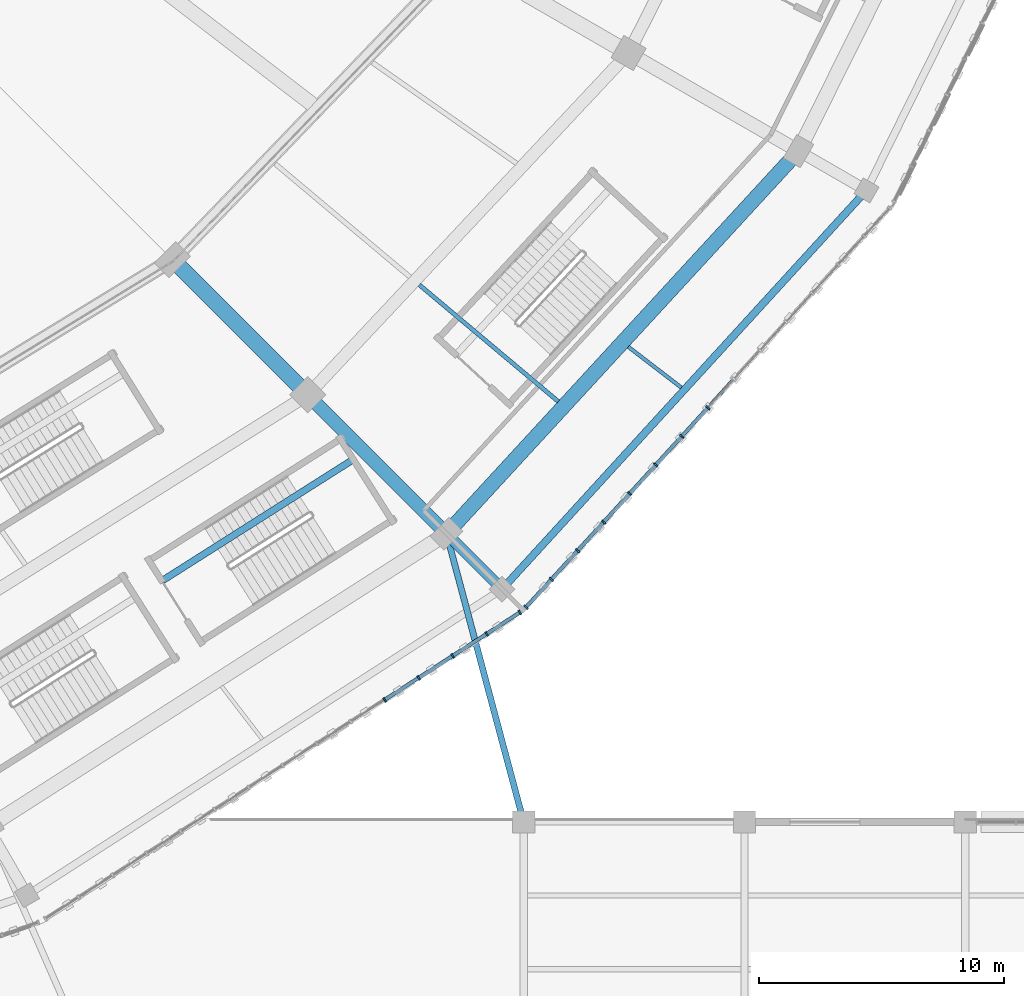
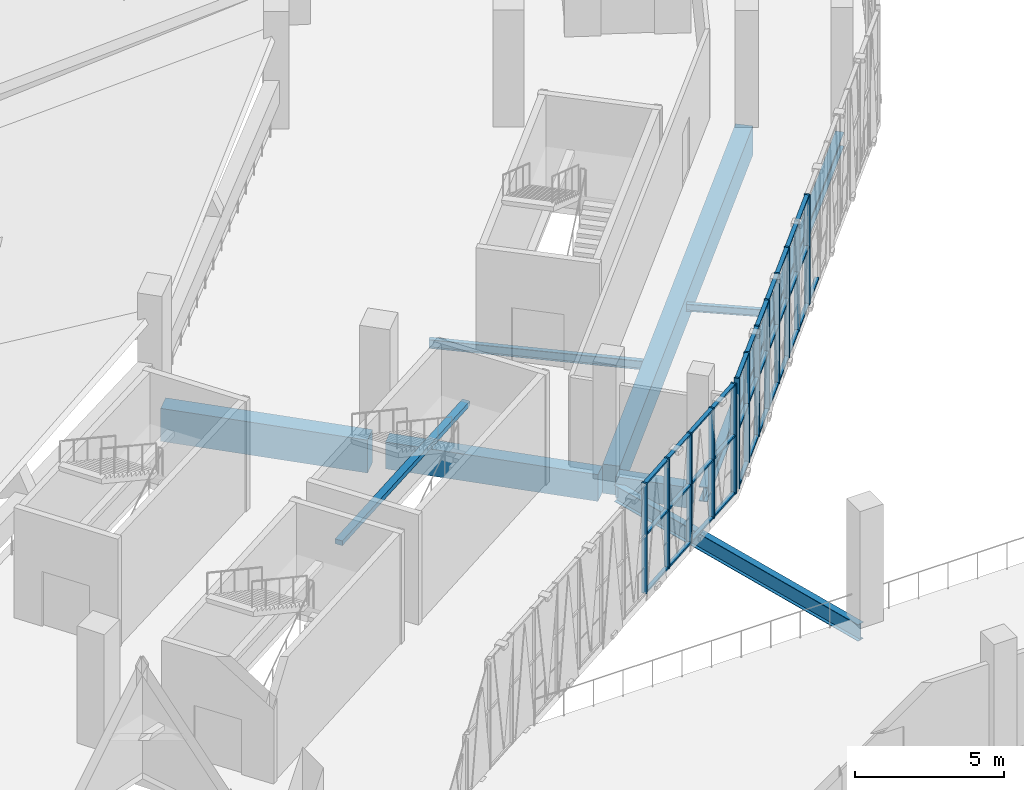
# One storey, part 32 of 183: 47 members, 9 beams, 2 elements without a shape of their own.
"""IFC4 building model written with IfcOpenShell, lengths in metres."""

from ifc_helpers import new_model, si_unit, direction, frame, origin, origin_2d, place, context, subcontext, project, spatial, rectangle, i_section, extrude, material, material_profile, profile_set, type_object, element, aggregate, save


model = new_model("IFC4")

# Units and contexts
model_context = context("Model", 3, precision=1e-05, world=origin(), true_north=direction((0.0, 1.0)))
body_context = subcontext(model_context, "Body", "Model", "MODEL_VIEW")
ifc_project = project(units=[si_unit("LENGTHUNIT", "METRE"), si_unit("AREAUNIT", "SQUARE_METRE"), si_unit("VOLUMEUNIT", "CUBIC_METRE"), si_unit("PLANEANGLEUNIT", "RADIAN"), si_unit("MASSUNIT", "GRAM", prefix="KILO")], contexts=[model_context])

# Site, building, storey
site_placement = place(None, origin())
site = spatial("IfcSite", under=ifc_project, at=site_placement, CompositionType="ELEMENT")
building_placement = place(site_placement, origin())
building = spatial("IfcBuilding", under=site, at=building_placement, Name="Zevraka Park Crest Stadium", CompositionType="ELEMENT")
storey_placement = place(building_placement, frame((0.0, 0.0, 5.39990234375)))
storey = spatial("IfcBuildingStorey", under=building, at=storey_placement, Name="L01", CompositionType="ELEMENT", Elevation=5.39990234375)

# Beams
ifc_material_1 = material(Name="Concrete C40/50", Category="concrete")
ifc_material_profile_1 = material_profile(ifc_material_1, rectangle(XDim=0.64990234375, YDim=1.35009765625, at=origin_2d()), Name="RC 1350x650")
ifc_profile_set_1 = profile_set([ifc_material_profile_1], Name="Concrete C40/50")
beam_type_1 = type_object("IfcBeamType", Name="BG01", PredefinedType="BEAM", material=ifc_profile_set_1)
beam_1_placement = place(storey_placement, frame((164.89111328125, 49.715087890625, -0.684814453125), z_axis=(0.707157639372, -0.707055919343, 0.0), x_axis=(0.707055919343, 0.707157639372, 0.0)))
element("IfcBeam", 1, at=beam_1_placement, inside=storey, type_object=beam_type_1, Name="Radial Girder BG01 L01-BC-21", PredefinedType="BEAM", context=body_context, shape_type="SweptSolid", body=[
    extrude(rectangle(XDim=0.64990234375, YDim=1.35009765625, at=origin_2d()), origin(), (0.0, 0.0, 1.0), 7.200439453125),
])
ifc_material_2 = material(Name="Concrete C40/50", Category="concrete")
ifc_material_profile_2 = material_profile(ifc_material_2, rectangle(XDim=0.550048828125, YDim=1.10009765625, at=origin_2d()), Name="RC 1100x550")
ifc_profile_set_2 = profile_set([ifc_material_profile_2], Name="Concrete C40/50")
beam_type_2 = type_object("IfcBeamType", Name="BG02", PredefinedType="BEAM", material=ifc_profile_set_2)
beam_2_placement = place(storey_placement, frame((170.406982421875, 44.199951171875, -0.559814453125), z_axis=(0.707106781187, -0.707106781187, 0.0), x_axis=(0.707106781187, 0.707106781187, 0.0)))
element("IfcBeam", 2, at=beam_2_placement, inside=storey, type_object=beam_type_2, Name="Radial Girder BG02 L01-CD-21", PredefinedType="BEAM", context=body_context, shape_type="SweptSolid", body=[
    extrude(rectangle(XDim=0.550048828125, YDim=1.10009765625, at=origin_2d()), origin(), (0.0, 0.0, 1.0), 7.400390625),
])
ifc_material_3 = material(Name="Concrete C40/50", Category="concrete")
ifc_material_profile_3 = material_profile(ifc_material_3, rectangle(XDim=0.449951171875, YDim=0.85009765625, at=origin_2d()), Name="RC 850x450")
ifc_profile_set_3 = profile_set([ifc_material_profile_3], Name="Concrete C40/50")
beam_type_3 = type_object("IfcBeamType", Name="BG03", PredefinedType="BEAM", material=ifc_profile_set_3)
beam_3_placement = place(storey_placement, frame((176.06396484375, 38.54296875, -0.434814453125), z_axis=(0.706965918589, -0.707247615728, 0.0), x_axis=(0.707247615728, 0.706965918589, 0.0)))
element("IfcBeam", 3, at=beam_3_placement, inside=storey, type_object=beam_type_3, Name="Radial Girder BG03 L01-DE-21", PredefinedType="BEAM", context=body_context, shape_type="SweptSolid", body=[
    extrude(rectangle(XDim=0.449951171875, YDim=0.85009765625, at=origin_2d()), origin(), (0.0, 0.0, 1.0), 2.60009765625),
])
ifc_material_4 = material(Name="Steel S355", Category="steel")
ifc_material_profile_4 = material_profile(ifc_material_4, i_section(OverallWidth=0.253662109375, OverallDepth=0.68359375, WebThickness=0.012451171875, FlangeThickness=0.01904296875, at=origin_2d()), Name="UKB 686x254x140")
ifc_profile_set_4 = profile_set([ifc_material_profile_4], Name="Steel S355")
beam_type_4 = type_object("IfcBeamType", Name="BG05", PredefinedType="BEAM", material=ifc_profile_set_4)
beam_4_placement = place(storey_placement, frame((178.947998046875, 27.193115234375, -0.649658203125), z_axis=(-0.25869045552, 0.96596027259, 0.0), x_axis=(-0.96596027259, -0.25869045552, 0.0)))
element("IfcBeam", 4, at=beam_4_placement, inside=storey, type_object=beam_type_4, Name="Wing Link Girder BG05 L01-20/D", PredefinedType="BEAM", context=body_context, shape_type="SweptSolid", body=[
    extrude(i_section(OverallWidth=0.253662109375, OverallDepth=0.68359375, WebThickness=0.012451171875, FlangeThickness=0.01904296875, at=origin_2d()), origin(), (0.0, 0.0, 1.0), 11.58935546875),
])

# Curtain wall, members
ifc_material_5 = material(Name="Anodised architectural aluminium and laminated safety glass", Category="aluminium")
curtain_wall_type = type_object("IfcCurtainWallType", Name="CW03", PredefinedType="NOTDEFINED", material=ifc_material_5)
curtain_wall_1_placement = place(storey_placement, origin())
curtain_wall_1 = element("IfcCurtainWall", 5, at=curtain_wall_1_placement, inside=storey, type_object=curtain_wall_type, Name="Unitised Ring Curtain Wall CW03 L01-20", PredefinedType="NOTDEFINED")
ifc_material_6 = material(Name="Anodised architectural aluminium", Category="aluminium")
ifc_material_profile_5 = material_profile(ifc_material_6, rectangle(XDim=0.199951171875, YDim=0.070068359375, at=origin_2d()), Name="ALU MULLION 200x70")
ifc_profile_set_5 = profile_set([ifc_material_profile_5], Name="Anodised architectural aluminium")
member_type_1 = type_object("IfcMemberType", Name="CM03", PredefinedType="MULLION", material=ifc_profile_set_5)
member_1_placement = place(storey_placement, frame((173.330322265625, 31.98388671875, 0.0), z_axis=(0.0, 0.0, 1.0), x_axis=(-0.542570628938, 0.840010186018, 0.0)))
member_1 = element("IfcMember", 6, at=member_1_placement, type_object=member_type_1, Name="CW03 mullion 11", PredefinedType="MULLION", context=body_context, shape_type="SweptSolid", body=[
    extrude(rectangle(XDim=0.199951171875, YDim=0.070068359375, at=origin_2d()), origin(), (0.0, 0.0, 1.0), 4.52001953125),
])
member_2_placement = place(storey_placement, frame((174.716064453125, 32.87890625, 0.0), z_axis=(0.0, 0.0, 1.0), x_axis=(-0.542570628938, 0.840010186018, 0.0)))
member_2 = element("IfcMember", 7, at=member_2_placement, type_object=member_type_1, Name="CW03 mullion 12", PredefinedType="MULLION", context=body_context, shape_type="SweptSolid", body=[
    extrude(rectangle(XDim=0.199951171875, YDim=0.070068359375, at=origin_2d()), origin(), (0.0, 0.0, 1.0), 4.52001953125),
])
member_3_placement = place(storey_placement, frame((176.101806640625, 33.77392578125, 0.0), z_axis=(0.0, 0.0, 1.0), x_axis=(-0.542570628938, 0.840010186018, 0.0)))
member_3 = element("IfcMember", 8, at=member_3_placement, type_object=member_type_1, Name="CW03 mullion 13", PredefinedType="MULLION", context=body_context, shape_type="SweptSolid", body=[
    extrude(rectangle(XDim=0.199951171875, YDim=0.070068359375, at=origin_2d()), origin(), (0.0, 0.0, 1.0), 4.52001953125),
])
member_4_placement = place(storey_placement, frame((177.4873046875, 34.6689453125, 0.0), z_axis=(0.0, 0.0, 1.0), x_axis=(-0.542570628938, 0.840010186018, 0.0)))
member_4 = element("IfcMember", 9, at=member_4_placement, type_object=member_type_1, Name="CW03 mullion 14", PredefinedType="MULLION", context=body_context, shape_type="SweptSolid", body=[
    extrude(rectangle(XDim=0.199951171875, YDim=0.070068359375, at=origin_2d()), origin(), (0.0, 0.0, 1.0), 4.52001953125),
])
member_5_placement = place(storey_placement, frame((178.843505859375, 35.544921875, 0.0), z_axis=(0.0, 0.0, 1.0), x_axis=(-0.542570628938, 0.840010186018, 0.0)))
member_5 = element("IfcMember", 10, at=member_5_placement, type_object=member_type_1, Name="CW03 mullion 15", PredefinedType="MULLION", context=body_context, shape_type="SweptSolid", body=[
    extrude(rectangle(XDim=0.199951171875, YDim=0.070068359375, at=origin_2d()), origin(), (0.0, 0.0, 1.0), 4.52001953125),
])

curtain_wall_2_placement = place(storey_placement, origin())
curtain_wall_2 = element("IfcCurtainWall", 11, at=curtain_wall_2_placement, inside=storey, type_object=curtain_wall_type, Name="Unitised Ring Curtain Wall CW03 L01-21", PredefinedType="NOTDEFINED")
member_6_placement = place(storey_placement, frame((179.092529296875, 35.755859375, 0.0), z_axis=(0.0, 0.0, 1.0), x_axis=(-0.739023476371, 0.673679672672, 0.0)))
member_6 = element("IfcMember", 12, at=member_6_placement, type_object=member_type_1, Name="CW03 mullion 1", PredefinedType="MULLION", context=body_context, shape_type="SweptSolid", body=[
    extrude(rectangle(XDim=0.199951171875, YDim=0.070068359375, at=origin_2d()), origin(), (0.0, 0.0, 1.0), 4.52001953125),
])
member_7_placement = place(storey_placement, frame((180.131591796875, 36.895751953125, 0.0), z_axis=(0.0, 0.0, 1.0), x_axis=(-0.739023476371, 0.673679672672, 0.0)))
member_7 = element("IfcMember", 13, at=member_7_placement, type_object=member_type_1, Name="CW03 mullion 2", PredefinedType="MULLION", context=body_context, shape_type="SweptSolid", body=[
    extrude(rectangle(XDim=0.199951171875, YDim=0.070068359375, at=origin_2d()), origin(), (0.0, 0.0, 1.0), 4.52001953125),
])
member_8_placement = place(storey_placement, frame((181.1943359375, 38.0615234375, 0.0), z_axis=(0.0, 0.0, 1.0), x_axis=(-0.739023476371, 0.673679672672, 0.0)))
member_8 = element("IfcMember", 14, at=member_8_placement, type_object=member_type_1, Name="CW03 mullion 3", PredefinedType="MULLION", context=body_context, shape_type="SweptSolid", body=[
    extrude(rectangle(XDim=0.199951171875, YDim=0.070068359375, at=origin_2d()), origin(), (0.0, 0.0, 1.0), 4.52001953125),
])
member_9_placement = place(storey_placement, frame((182.2568359375, 39.22705078125, 0.0), z_axis=(0.0, 0.0, 1.0), x_axis=(-0.739023476371, 0.673679672672, 0.0)))
member_9 = element("IfcMember", 15, at=member_9_placement, type_object=member_type_1, Name="CW03 mullion 4", PredefinedType="MULLION", context=body_context, shape_type="SweptSolid", body=[
    extrude(rectangle(XDim=0.199951171875, YDim=0.070068359375, at=origin_2d()), origin(), (0.0, 0.0, 1.0), 4.52001953125),
])
member_10_placement = place(storey_placement, frame((183.319580078125, 40.392822265625, 0.0), z_axis=(0.0, 0.0, 1.0), x_axis=(-0.739023476371, 0.673679672672, 0.0)))
member_10 = element("IfcMember", 16, at=member_10_placement, type_object=member_type_1, Name="CW03 mullion 5", PredefinedType="MULLION", context=body_context, shape_type="SweptSolid", body=[
    extrude(rectangle(XDim=0.199951171875, YDim=0.070068359375, at=origin_2d()), origin(), (0.0, 0.0, 1.0), 4.52001953125),
])
member_11_placement = place(storey_placement, frame((184.38232421875, 41.55859375, 0.0), z_axis=(0.0, 0.0, 1.0), x_axis=(-0.739023476371, 0.673679672672, 0.0)))
member_11 = element("IfcMember", 17, at=member_11_placement, type_object=member_type_1, Name="CW03 mullion 6", PredefinedType="MULLION", context=body_context, shape_type="SweptSolid", body=[
    extrude(rectangle(XDim=0.199951171875, YDim=0.070068359375, at=origin_2d()), origin(), (0.0, 0.0, 1.0), 4.52001953125),
])
member_12_placement = place(storey_placement, frame((185.44482421875, 42.724365234375, 0.0), z_axis=(0.0, 0.0, 1.0), x_axis=(-0.739023476371, 0.673679672672, 0.0)))
member_12 = element("IfcMember", 18, at=member_12_placement, type_object=member_type_1, Name="CW03 mullion 7", PredefinedType="MULLION", context=body_context, shape_type="SweptSolid", body=[
    extrude(rectangle(XDim=0.199951171875, YDim=0.070068359375, at=origin_2d()), origin(), (0.0, 0.0, 1.0), 4.52001953125),
])
member_13_placement = place(storey_placement, frame((186.507568359375, 43.889892578125, 0.0), z_axis=(0.0, 0.0, 1.0), x_axis=(-0.739023476371, 0.673679672672, 0.0)))
member_13 = element("IfcMember", 19, at=member_13_placement, type_object=member_type_1, Name="CW03 mullion 8", PredefinedType="MULLION", context=body_context, shape_type="SweptSolid", body=[
    extrude(rectangle(XDim=0.199951171875, YDim=0.070068359375, at=origin_2d()), origin(), (0.0, 0.0, 1.0), 4.52001953125),
])

# Member
ifc_material_7 = material(Name="Anodised architectural aluminium", Category="aluminium")
ifc_material_profile_6 = material_profile(ifc_material_7, rectangle(XDim=0.14990234375, YDim=0.070068359375, at=origin_2d()), Name="ALU TRANSOM 150x70")
ifc_profile_set_6 = profile_set([ifc_material_profile_6], Name="Anodised architectural aluminium")
member_type_2 = type_object("IfcMemberType", Name="CT03", PredefinedType="USERDEFINED", material=ifc_profile_set_6)
member_14_placement = place(storey_placement, frame((173.35986328125, 32.0029296875, 0.03515625), z_axis=(0.839976274256, 0.542623127675, 0.0), x_axis=(-0.542623127675, 0.839976274256, 0.0)))
member_14 = element("IfcMember", 20, at=member_14_placement, type_object=member_type_2, Name="CW03 transom 11.1", ObjectType="TRANSOM", PredefinedType="USERDEFINED", context=body_context, shape_type="SweptSolid", body=[
    extrude(rectangle(XDim=0.14990234375, YDim=0.070068359375, at=origin_2d()), origin(), (0.0, 0.0, 1.0), 1.57958984375),
])

member_15_placement = place(storey_placement, frame((173.35986328125, 32.0029296875, 2.400146484375), z_axis=(0.839976274256, 0.542623127675, 0.0), x_axis=(-0.542623127675, 0.839976274256, 0.0)))
member_15 = element("IfcMember", 21, at=member_15_placement, type_object=member_type_2, Name="CW03 transom 11.2", ObjectType="TRANSOM", PredefinedType="USERDEFINED", context=body_context, shape_type="SweptSolid", body=[
    extrude(rectangle(XDim=0.14990234375, YDim=0.070068359375, at=origin_2d()), origin(), (0.0, 0.0, 1.0), 1.57958984375),
])

member_16_placement = place(storey_placement, frame((173.35986328125, 32.0029296875, 4.485107421875), z_axis=(0.839976274256, 0.542623127675, 0.0), x_axis=(-0.542623127675, 0.839976274256, 0.0)))
member_16 = element("IfcMember", 22, at=member_16_placement, type_object=member_type_2, Name="CW03 transom 11.3", ObjectType="TRANSOM", PredefinedType="USERDEFINED", context=body_context, shape_type="SweptSolid", body=[
    extrude(rectangle(XDim=0.14990234375, YDim=0.070068359375, at=origin_2d()), origin(), (0.0, 0.0, 1.0), 1.57958984375),
])

member_17_placement = place(storey_placement, frame((174.745361328125, 32.89794921875, 0.03515625), z_axis=(0.839976274256, 0.542623127675, 0.0), x_axis=(-0.542623127675, 0.839976274256, 0.0)))
member_17 = element("IfcMember", 23, at=member_17_placement, type_object=member_type_2, Name="CW03 transom 12.1", ObjectType="TRANSOM", PredefinedType="USERDEFINED", context=body_context, shape_type="SweptSolid", body=[
    extrude(rectangle(XDim=0.14990234375, YDim=0.070068359375, at=origin_2d()), origin(), (0.0, 0.0, 1.0), 1.57958984375),
])

member_18_placement = place(storey_placement, frame((174.745361328125, 32.89794921875, 2.400146484375), z_axis=(0.839976274256, 0.542623127675, 0.0), x_axis=(-0.542623127675, 0.839976274256, 0.0)))
member_18 = element("IfcMember", 24, at=member_18_placement, type_object=member_type_2, Name="CW03 transom 12.2", ObjectType="TRANSOM", PredefinedType="USERDEFINED", context=body_context, shape_type="SweptSolid", body=[
    extrude(rectangle(XDim=0.14990234375, YDim=0.070068359375, at=origin_2d()), origin(), (0.0, 0.0, 1.0), 1.57958984375),
])

member_19_placement = place(storey_placement, frame((174.745361328125, 32.89794921875, 4.485107421875), z_axis=(0.839976274256, 0.542623127675, 0.0), x_axis=(-0.542623127675, 0.839976274256, 0.0)))
member_19 = element("IfcMember", 25, at=member_19_placement, type_object=member_type_2, Name="CW03 transom 12.3", ObjectType="TRANSOM", PredefinedType="USERDEFINED", context=body_context, shape_type="SweptSolid", body=[
    extrude(rectangle(XDim=0.14990234375, YDim=0.070068359375, at=origin_2d()), origin(), (0.0, 0.0, 1.0), 1.57958984375),
])

member_20_placement = place(storey_placement, frame((176.131103515625, 33.79296875, 0.03515625), z_axis=(0.840046715264, 0.542514070024, 0.0), x_axis=(-0.542514070024, 0.840046715264, 0.0)))
member_20 = element("IfcMember", 26, at=member_20_placement, type_object=member_type_2, Name="CW03 transom 13.1", ObjectType="TRANSOM", PredefinedType="USERDEFINED", context=body_context, shape_type="SweptSolid", body=[
    extrude(rectangle(XDim=0.14990234375, YDim=0.070068359375, at=origin_2d()), origin(), (0.0, 0.0, 1.0), 1.57958984375),
])

member_21_placement = place(storey_placement, frame((176.131103515625, 33.79296875, 2.400146484375), z_axis=(0.840046715264, 0.542514070024, 0.0), x_axis=(-0.542514070024, 0.840046715264, 0.0)))
member_21 = element("IfcMember", 27, at=member_21_placement, type_object=member_type_2, Name="CW03 transom 13.2", ObjectType="TRANSOM", PredefinedType="USERDEFINED", context=body_context, shape_type="SweptSolid", body=[
    extrude(rectangle(XDim=0.14990234375, YDim=0.070068359375, at=origin_2d()), origin(), (0.0, 0.0, 1.0), 1.57958984375),
])

member_22_placement = place(storey_placement, frame((176.131103515625, 33.79296875, 4.485107421875), z_axis=(0.840046715264, 0.542514070024, 0.0), x_axis=(-0.542514070024, 0.840046715264, 0.0)))
member_22 = element("IfcMember", 28, at=member_22_placement, type_object=member_type_2, Name="CW03 transom 13.3", ObjectType="TRANSOM", PredefinedType="USERDEFINED", context=body_context, shape_type="SweptSolid", body=[
    extrude(rectangle(XDim=0.14990234375, YDim=0.070068359375, at=origin_2d()), origin(), (0.0, 0.0, 1.0), 1.57958984375),
])

member_23_placement = place(storey_placement, frame((177.516845703125, 34.68798828125, 0.03515625), z_axis=(0.839964330601, 0.542641615911, 0.0), x_axis=(-0.542641615911, 0.839964330601, 0.0)))
member_23 = element("IfcMember", 29, at=member_23_placement, type_object=member_type_2, Name="CW03 transom 14.1", ObjectType="TRANSOM", PredefinedType="USERDEFINED", context=body_context, shape_type="SweptSolid", body=[
    extrude(rectangle(XDim=0.14990234375, YDim=0.070068359375, at=origin_2d()), origin(), (0.0, 0.0, 1.0), 1.54443359375),
])

member_24_placement = place(storey_placement, frame((177.516845703125, 34.68798828125, 2.400146484375), z_axis=(0.839964330601, 0.542641615911, 0.0), x_axis=(-0.542641615911, 0.839964330601, 0.0)))
member_24 = element("IfcMember", 30, at=member_24_placement, type_object=member_type_2, Name="CW03 transom 14.2", ObjectType="TRANSOM", PredefinedType="USERDEFINED", context=body_context, shape_type="SweptSolid", body=[
    extrude(rectangle(XDim=0.14990234375, YDim=0.070068359375, at=origin_2d()), origin(), (0.0, 0.0, 1.0), 1.54443359375),
])

member_25_placement = place(storey_placement, frame((177.516845703125, 34.68798828125, 4.485107421875), z_axis=(0.839964330601, 0.542641615911, 0.0), x_axis=(-0.542641615911, 0.839964330601, 0.0)))
member_25 = element("IfcMember", 31, at=member_25_placement, type_object=member_type_2, Name="CW03 transom 14.3", ObjectType="TRANSOM", PredefinedType="USERDEFINED", context=body_context, shape_type="SweptSolid", body=[
    extrude(rectangle(XDim=0.14990234375, YDim=0.070068359375, at=origin_2d()), origin(), (0.0, 0.0, 1.0), 1.54443359375),
])

aggregate(curtain_wall_1, [member_1, member_2, member_3, member_4, member_5, member_14, member_15, member_16, member_17, member_18, member_19, member_20, member_21, member_22, member_23, member_24, member_25])

member_26_placement = place(storey_placement, frame((179.1162109375, 35.78173828125, 0.03515625), z_axis=(0.673687280194, 0.739016541429, 0.0), x_axis=(-0.739016541429, 0.673687280194, 0.0)))
member_26 = element("IfcMember", 32, at=member_26_placement, type_object=member_type_2, Name="CW03 transom 1.1", ObjectType="TRANSOM", PredefinedType="USERDEFINED", context=body_context, shape_type="SweptSolid", body=[
    extrude(rectangle(XDim=0.14990234375, YDim=0.070068359375, at=origin_2d()), origin(), (0.0, 0.0, 1.0), 1.472412109375),
])

member_27_placement = place(storey_placement, frame((179.1162109375, 35.78173828125, 2.400146484375), z_axis=(0.673687280194, 0.739016541429, 0.0), x_axis=(-0.739016541429, 0.673687280194, 0.0)))
member_27 = element("IfcMember", 33, at=member_27_placement, type_object=member_type_2, Name="CW03 transom 1.2", ObjectType="TRANSOM", PredefinedType="USERDEFINED", context=body_context, shape_type="SweptSolid", body=[
    extrude(rectangle(XDim=0.14990234375, YDim=0.070068359375, at=origin_2d()), origin(), (0.0, 0.0, 1.0), 1.472412109375),
])

member_28_placement = place(storey_placement, frame((179.1162109375, 35.78173828125, 4.485107421875), z_axis=(0.673687280194, 0.739016541429, 0.0), x_axis=(-0.739016541429, 0.673687280194, 0.0)))
member_28 = element("IfcMember", 34, at=member_28_placement, type_object=member_type_2, Name="CW03 transom 1.3", ObjectType="TRANSOM", PredefinedType="USERDEFINED", context=body_context, shape_type="SweptSolid", body=[
    extrude(rectangle(XDim=0.14990234375, YDim=0.070068359375, at=origin_2d()), origin(), (0.0, 0.0, 1.0), 1.472412109375),
])

member_29_placement = place(storey_placement, frame((180.1552734375, 36.921630859375, 0.03515625), z_axis=(0.673631587043, 0.739067307448, 0.0), x_axis=(-0.739067307448, 0.673631587043, 0.0)))
member_29 = element("IfcMember", 35, at=member_29_placement, type_object=member_type_2, Name="CW03 transom 2.1", ObjectType="TRANSOM", PredefinedType="USERDEFINED", context=body_context, shape_type="SweptSolid", body=[
    extrude(rectangle(XDim=0.14990234375, YDim=0.070068359375, at=origin_2d()), origin(), (0.0, 0.0, 1.0), 1.50732421875),
])

member_30_placement = place(storey_placement, frame((180.1552734375, 36.921630859375, 2.400146484375), z_axis=(0.673631587043, 0.739067307448, 0.0), x_axis=(-0.739067307448, 0.673631587043, 0.0)))
member_30 = element("IfcMember", 36, at=member_30_placement, type_object=member_type_2, Name="CW03 transom 2.2", ObjectType="TRANSOM", PredefinedType="USERDEFINED", context=body_context, shape_type="SweptSolid", body=[
    extrude(rectangle(XDim=0.14990234375, YDim=0.070068359375, at=origin_2d()), origin(), (0.0, 0.0, 1.0), 1.50732421875),
])

member_31_placement = place(storey_placement, frame((180.1552734375, 36.921630859375, 4.485107421875), z_axis=(0.673631587043, 0.739067307448, 0.0), x_axis=(-0.739067307448, 0.673631587043, 0.0)))
member_31 = element("IfcMember", 37, at=member_31_placement, type_object=member_type_2, Name="CW03 transom 2.3", ObjectType="TRANSOM", PredefinedType="USERDEFINED", context=body_context, shape_type="SweptSolid", body=[
    extrude(rectangle(XDim=0.14990234375, YDim=0.070068359375, at=origin_2d()), origin(), (0.0, 0.0, 1.0), 1.50732421875),
])

member_32_placement = place(storey_placement, frame((181.2177734375, 38.08740234375, 0.03515625), z_axis=(0.673800680351, 0.738913149943, 0.0), x_axis=(-0.738913149943, 0.673800680351, 0.0)))
member_32 = element("IfcMember", 38, at=member_32_placement, type_object=member_type_2, Name="CW03 transom 3.1", ObjectType="TRANSOM", PredefinedType="USERDEFINED", context=body_context, shape_type="SweptSolid", body=[
    extrude(rectangle(XDim=0.14990234375, YDim=0.070068359375, at=origin_2d()), origin(), (0.0, 0.0, 1.0), 1.50732421875),
])

member_33_placement = place(storey_placement, frame((181.2177734375, 38.08740234375, 2.400146484375), z_axis=(0.673800680351, 0.738913149943, 0.0), x_axis=(-0.738913149943, 0.673800680351, 0.0)))
member_33 = element("IfcMember", 39, at=member_33_placement, type_object=member_type_2, Name="CW03 transom 3.2", ObjectType="TRANSOM", PredefinedType="USERDEFINED", context=body_context, shape_type="SweptSolid", body=[
    extrude(rectangle(XDim=0.14990234375, YDim=0.070068359375, at=origin_2d()), origin(), (0.0, 0.0, 1.0), 1.50732421875),
])

member_34_placement = place(storey_placement, frame((181.2177734375, 38.08740234375, 4.485107421875), z_axis=(0.673800680351, 0.738913149943, 0.0), x_axis=(-0.738913149943, 0.673800680351, 0.0)))
member_34 = element("IfcMember", 40, at=member_34_placement, type_object=member_type_2, Name="CW03 transom 3.3", ObjectType="TRANSOM", PredefinedType="USERDEFINED", context=body_context, shape_type="SweptSolid", body=[
    extrude(rectangle(XDim=0.14990234375, YDim=0.070068359375, at=origin_2d()), origin(), (0.0, 0.0, 1.0), 1.50732421875),
])

member_35_placement = place(storey_placement, frame((182.280517578125, 39.2529296875, 0.03515625), z_axis=(0.673631587043, 0.739067307448, 0.0), x_axis=(-0.739067307448, 0.673631587043, 0.0)))
member_35 = element("IfcMember", 41, at=member_35_placement, type_object=member_type_2, Name="CW03 transom 4.1", ObjectType="TRANSOM", PredefinedType="USERDEFINED", context=body_context, shape_type="SweptSolid", body=[
    extrude(rectangle(XDim=0.14990234375, YDim=0.070068359375, at=origin_2d()), origin(), (0.0, 0.0, 1.0), 1.50732421875),
])

member_36_placement = place(storey_placement, frame((182.280517578125, 39.2529296875, 2.400146484375), z_axis=(0.673631587043, 0.739067307448, 0.0), x_axis=(-0.739067307448, 0.673631587043, 0.0)))
member_36 = element("IfcMember", 42, at=member_36_placement, type_object=member_type_2, Name="CW03 transom 4.2", ObjectType="TRANSOM", PredefinedType="USERDEFINED", context=body_context, shape_type="SweptSolid", body=[
    extrude(rectangle(XDim=0.14990234375, YDim=0.070068359375, at=origin_2d()), origin(), (0.0, 0.0, 1.0), 1.50732421875),
])

member_37_placement = place(storey_placement, frame((182.280517578125, 39.2529296875, 4.485107421875), z_axis=(0.673631587043, 0.739067307448, 0.0), x_axis=(-0.739067307448, 0.673631587043, 0.0)))
member_37 = element("IfcMember", 43, at=member_37_placement, type_object=member_type_2, Name="CW03 transom 4.3", ObjectType="TRANSOM", PredefinedType="USERDEFINED", context=body_context, shape_type="SweptSolid", body=[
    extrude(rectangle(XDim=0.14990234375, YDim=0.070068359375, at=origin_2d()), origin(), (0.0, 0.0, 1.0), 1.50732421875),
])

member_38_placement = place(storey_placement, frame((183.34326171875, 40.418701171875, 0.03515625), z_axis=(0.673631587043, 0.739067307448, 0.0), x_axis=(-0.739067307448, 0.673631587043, 0.0)))
member_38 = element("IfcMember", 44, at=member_38_placement, type_object=member_type_2, Name="CW03 transom 5.1", ObjectType="TRANSOM", PredefinedType="USERDEFINED", context=body_context, shape_type="SweptSolid", body=[
    extrude(rectangle(XDim=0.14990234375, YDim=0.070068359375, at=origin_2d()), origin(), (0.0, 0.0, 1.0), 1.50732421875),
])

member_39_placement = place(storey_placement, frame((183.34326171875, 40.418701171875, 2.400146484375), z_axis=(0.673631587043, 0.739067307448, 0.0), x_axis=(-0.739067307448, 0.673631587043, 0.0)))
member_39 = element("IfcMember", 45, at=member_39_placement, type_object=member_type_2, Name="CW03 transom 5.2", ObjectType="TRANSOM", PredefinedType="USERDEFINED", context=body_context, shape_type="SweptSolid", body=[
    extrude(rectangle(XDim=0.14990234375, YDim=0.070068359375, at=origin_2d()), origin(), (0.0, 0.0, 1.0), 1.50732421875),
])

member_40_placement = place(storey_placement, frame((183.34326171875, 40.418701171875, 4.485107421875), z_axis=(0.673631587043, 0.739067307448, 0.0), x_axis=(-0.739067307448, 0.673631587043, 0.0)))
member_40 = element("IfcMember", 46, at=member_40_placement, type_object=member_type_2, Name="CW03 transom 5.3", ObjectType="TRANSOM", PredefinedType="USERDEFINED", context=body_context, shape_type="SweptSolid", body=[
    extrude(rectangle(XDim=0.14990234375, YDim=0.070068359375, at=origin_2d()), origin(), (0.0, 0.0, 1.0), 1.50732421875),
])

member_41_placement = place(storey_placement, frame((184.40576171875, 41.58447265625, 0.03515625), z_axis=(0.673720043681, 0.738986672913, 0.0), x_axis=(-0.738986672913, 0.673720043681, 0.0)))
member_41 = element("IfcMember", 47, at=member_41_placement, type_object=member_type_2, Name="CW03 transom 6.1", ObjectType="TRANSOM", PredefinedType="USERDEFINED", context=body_context, shape_type="SweptSolid", body=[
    extrude(rectangle(XDim=0.14990234375, YDim=0.070068359375, at=origin_2d()), origin(), (0.0, 0.0, 1.0), 1.507568359375),
])

member_42_placement = place(storey_placement, frame((184.40576171875, 41.58447265625, 2.400146484375), z_axis=(0.673720043681, 0.738986672913, 0.0), x_axis=(-0.738986672913, 0.673720043681, 0.0)))
member_42 = element("IfcMember", 48, at=member_42_placement, type_object=member_type_2, Name="CW03 transom 6.2", ObjectType="TRANSOM", PredefinedType="USERDEFINED", context=body_context, shape_type="SweptSolid", body=[
    extrude(rectangle(XDim=0.14990234375, YDim=0.070068359375, at=origin_2d()), origin(), (0.0, 0.0, 1.0), 1.507568359375),
])

member_43_placement = place(storey_placement, frame((184.40576171875, 41.58447265625, 4.485107421875), z_axis=(0.673720043681, 0.738986672913, 0.0), x_axis=(-0.738986672913, 0.673720043681, 0.0)))
member_43 = element("IfcMember", 49, at=member_43_placement, type_object=member_type_2, Name="CW03 transom 6.3", ObjectType="TRANSOM", PredefinedType="USERDEFINED", context=body_context, shape_type="SweptSolid", body=[
    extrude(rectangle(XDim=0.14990234375, YDim=0.070068359375, at=origin_2d()), origin(), (0.0, 0.0, 1.0), 1.507568359375),
])

member_44_placement = place(storey_placement, frame((185.468505859375, 42.750244140625, 0.03515625), z_axis=(0.673712230725, 0.73899379576, 0.0), x_axis=(-0.73899379576, 0.673712230725, 0.0)))
member_44 = element("IfcMember", 50, at=member_44_placement, type_object=member_type_2, Name="CW03 transom 7.1", ObjectType="TRANSOM", PredefinedType="USERDEFINED", context=body_context, shape_type="SweptSolid", body=[
    extrude(rectangle(XDim=0.14990234375, YDim=0.070068359375, at=origin_2d()), origin(), (0.0, 0.0, 1.0), 1.507080078125),
])

member_45_placement = place(storey_placement, frame((185.468505859375, 42.750244140625, 2.400146484375), z_axis=(0.673712230725, 0.73899379576, 0.0), x_axis=(-0.73899379576, 0.673712230725, 0.0)))
member_45 = element("IfcMember", 51, at=member_45_placement, type_object=member_type_2, Name="CW03 transom 7.2", ObjectType="TRANSOM", PredefinedType="USERDEFINED", context=body_context, shape_type="SweptSolid", body=[
    extrude(rectangle(XDim=0.14990234375, YDim=0.070068359375, at=origin_2d()), origin(), (0.0, 0.0, 1.0), 1.507080078125),
])

member_46_placement = place(storey_placement, frame((185.468505859375, 42.750244140625, 4.485107421875), z_axis=(0.673712230725, 0.73899379576, 0.0), x_axis=(-0.73899379576, 0.673712230725, 0.0)))
member_46 = element("IfcMember", 52, at=member_46_placement, type_object=member_type_2, Name="CW03 transom 7.3", ObjectType="TRANSOM", PredefinedType="USERDEFINED", context=body_context, shape_type="SweptSolid", body=[
    extrude(rectangle(XDim=0.14990234375, YDim=0.070068359375, at=origin_2d()), origin(), (0.0, 0.0, 1.0), 1.507080078125),
])

member_47_placement = place(storey_placement, frame((186.531005859375, 43.915771484375, 0.03515625), z_axis=(0.673720043681, 0.738986672913, 0.0), x_axis=(-0.738986672913, 0.673720043681, 0.0)))
member_47 = element("IfcMember", 53, at=member_47_placement, type_object=member_type_2, Name="CW03 transom 8.1", ObjectType="TRANSOM", PredefinedType="USERDEFINED", context=body_context, shape_type="SweptSolid", body=[
    extrude(rectangle(XDim=0.14990234375, YDim=0.070068359375, at=origin_2d()), origin(), (0.0, 0.0, 1.0), 1.507568359375),
])

aggregate(curtain_wall_2, [member_6, member_7, member_8, member_9, member_10, member_11, member_12, member_13, member_26, member_27, member_28, member_29, member_30, member_31, member_32, member_33, member_34, member_35, member_36, member_37, member_38, member_39, member_40, member_41, member_42, member_43, member_44, member_45, member_46, member_47])

# Beams
ifc_material_8 = material(Name="Concrete C40/50", Category="concrete")
ifc_material_profile_7 = material_profile(ifc_material_8, rectangle(XDim=0.60009765625, YDim=1.199951171875, at=origin_2d()), Name="RC 1200x600")
ifc_profile_set_7 = profile_set([ifc_material_profile_7], Name="Concrete C40/50")
beam_type_5 = type_object("IfcBeamType", Name="RB01", PredefinedType="BEAM", material=ifc_profile_set_7)
beam_5_placement = place(storey_placement, frame((176.10888671875, 39.034912109375, -0.60986328125), z_axis=(0.677158252403, 0.735837414924, 0.0), x_axis=(-0.735837414924, 0.677158252403, 0.0)))
element("IfcBeam", 54, at=beam_5_placement, inside=storey, type_object=beam_type_5, Name="Ring Beam RB01 L01-D-21", PredefinedType="BEAM", context=body_context, shape_type="SweptSolid", body=[
    extrude(rectangle(XDim=0.60009765625, YDim=1.199951171875, at=origin_2d()), origin(), (0.0, 0.0, 1.0), 20.4326171875),
])
ifc_material_9 = material(Name="Steel S355", Category="steel")
ifc_material_profile_8 = material_profile(ifc_material_9, i_section(OverallWidth=0.300048828125, OverallDepth=0.60009765625, WebThickness=0.015380859375, FlangeThickness=0.030029296875, at=origin_2d()), Name="HEB 600")
ifc_profile_set_8 = profile_set([ifc_material_profile_8], Name="Steel S355")
beam_type_6 = type_object("IfcBeamType", Name="RB03", PredefinedType="BEAM", material=ifc_profile_set_8)
beam_6_placement = place(storey_placement, frame((178.35009765625, 36.75, -0.60498046875), z_axis=(0.674624342029, 0.738161227065, 0.0), x_axis=(-0.738161227065, 0.674624342029, 0.0)))
element("IfcBeam", 55, at=beam_6_placement, inside=storey, type_object=beam_type_6, Name="Ring Beam RB03 L01-E-21", PredefinedType="BEAM", context=body_context, shape_type="SweptSolid", body=[
    extrude(i_section(OverallWidth=0.300048828125, OverallDepth=0.60009765625, WebThickness=0.015380859375, FlangeThickness=0.030029296875, at=origin_2d()), origin(), (0.0, 0.0, 1.0), 21.325927734375),
])
ifc_material_10 = material(Name="Steel S355", Category="steel")
ifc_material_profile_9 = material_profile(ifc_material_10, i_section(OverallWidth=0.14990234375, OverallDepth=0.300048828125, WebThickness=0.007080078125, FlangeThickness=0.0107421875, at=origin_2d()), Name="IPE 300")
ifc_profile_set_9 = profile_set([ifc_material_profile_9], Name="Steel S355")
beam_type_7 = type_object("IfcBeamType", Name="SJ01", PredefinedType="JOIST", material=ifc_profile_set_9)
beam_7_placement = place(storey_placement, frame((183.260986328125, 46.373046875, -0.4580078125), z_axis=(0.793128631587, -0.609054163238, 0.0), x_axis=(0.609054163238, 0.793128631587, 0.0)))
element("IfcBeam", 56, at=beam_7_placement, inside=storey, type_object=beam_type_7, Name="Floor Joist SJ01 L01-DE-21-1", PredefinedType="JOIST", context=body_context, shape_type="SweptSolid", body=[
    extrude(i_section(OverallWidth=0.14990234375, OverallDepth=0.300048828125, WebThickness=0.007080078125, FlangeThickness=0.0107421875, at=origin_2d()), origin(), (0.0, 0.0, 1.0), 2.732177734375),
])
ifc_material_11 = material(Name="Steel S355", Category="steel")
ifc_material_profile_10 = material_profile(ifc_material_11, i_section(OverallWidth=0.169921875, OverallDepth=0.360107421875, WebThickness=0.008056640625, FlangeThickness=0.0126953125, at=origin_2d()), Name="IPE 360")
ifc_profile_set_10 = profile_set([ifc_material_profile_10], Name="Steel S355")
beam_type_8 = type_object("IfcBeamType", Name="SJ02", PredefinedType="JOIST", material=ifc_profile_set_10)
beam_8_placement = place(storey_placement, frame((174.741943359375, 48.89990234375, -0.48779296875), z_axis=(0.765933630726, -0.642919647642, 0.0), x_axis=(0.642919647642, 0.765933630726, 0.0)))
element("IfcBeam", 57, at=beam_8_placement, inside=storey, type_object=beam_type_8, Name="Floor Joist SJ02 L01-CD-21-1", PredefinedType="JOIST", context=body_context, shape_type="SweptSolid", body=[
    extrude(i_section(OverallWidth=0.169921875, OverallDepth=0.360107421875, WebThickness=0.008056640625, FlangeThickness=0.0126953125, at=origin_2d()), origin(), (0.0, 0.0, 1.0), 7.398681640625),
])
ifc_material_12 = material(Name="Concrete C40/50", Category="concrete")
ifc_material_profile_11 = material_profile(ifc_material_12, rectangle(XDim=0.280029296875, YDim=0.199951171875, at=origin_2d()), Name="RC 200x280")
ifc_profile_set_11 = profile_set([ifc_material_profile_11], Name="Concrete C40/50")
beam_type_9 = type_object("IfcBeamType", Name="SJ13", PredefinedType="JOIST", material=ifc_profile_set_11)
beam_9_placement = place(storey_placement, frame((164.2705078125, 36.844482421875, 2.300048828125), z_axis=(0.844396466688, 0.53571877608, 0.0), x_axis=(-0.53571877608, 0.844396466688, 0.0)))
element("IfcBeam", 58, at=beam_9_placement, inside=storey, type_object=beam_type_9, Name="Stair Upper-Flight Longitudinal Stringer SJ13 ST32-L01", PredefinedType="JOIST", context=body_context, shape_type="SweptSolid", body=[
    extrude(rectangle(XDim=0.280029296875, YDim=0.199951171875, at=origin_2d()), origin(), (0.0, 0.0, 1.0), 9.249755859375),
])

save(model, "model.ifc")
